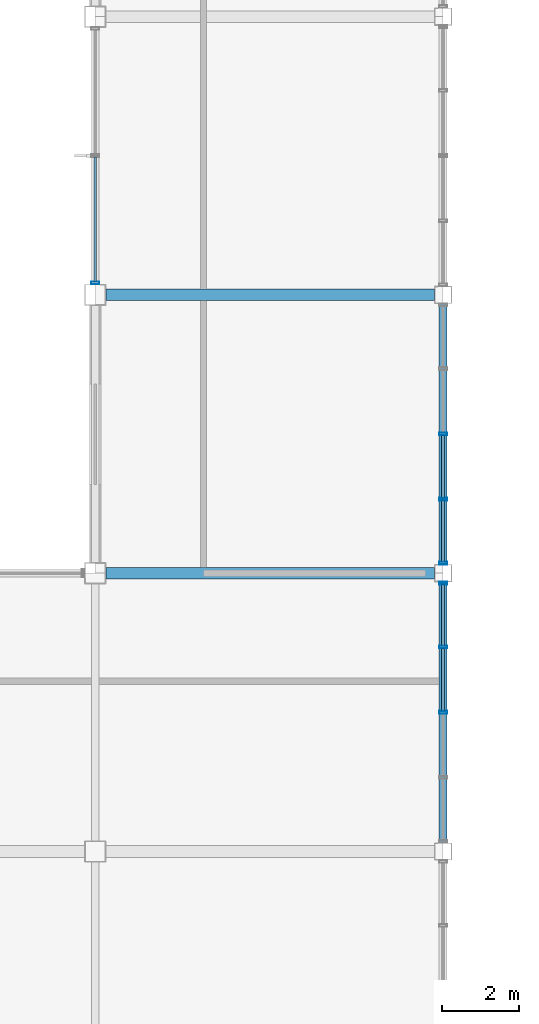
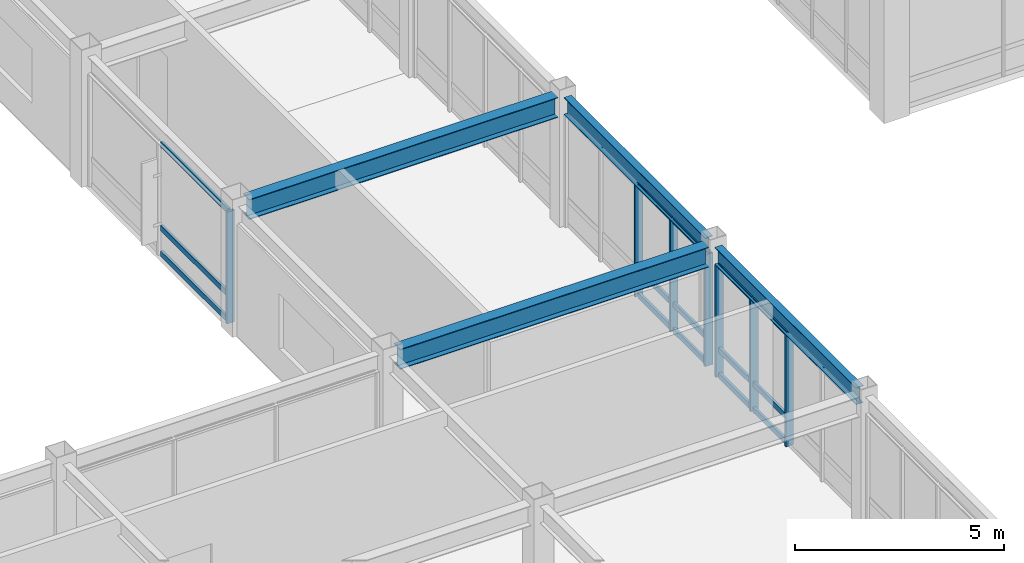
# One storey, part 45 of 122: 22 members, 4 beams, 3 elements without a shape of their own.
"""IFC4 building model written with IfcOpenShell, lengths in metres."""

from ifc_helpers import new_model, si_unit, direction, frame, origin, origin_2d, place, context, subcontext, project, spatial, hollow_rectangle, i_section, extrude, material, material_profile, profile_set, type_object, element, aggregate, save


model = new_model("IFC4")

# Units and contexts
model_context = context("Model", 3, precision=1e-05, world=origin(), true_north=direction((0.0, 1.0)))
body_context = subcontext(model_context, "Body", "Model", "MODEL_VIEW")
ifc_project = project(units=[si_unit("LENGTHUNIT", "METRE"), si_unit("AREAUNIT", "SQUARE_METRE"), si_unit("VOLUMEUNIT", "CUBIC_METRE"), si_unit("PLANEANGLEUNIT", "RADIAN"), si_unit("MASSUNIT", "GRAM", prefix="KILO")], contexts=[model_context])

# Site, building, storey
site_placement = place(None, origin())
site = spatial("IfcSite", under=ifc_project, at=site_placement, CompositionType="ELEMENT")
building_placement = place(site_placement, origin())
building = spatial("IfcBuilding", under=site, at=building_placement, Name="Kazanami Central Library", CompositionType="ELEMENT")
storey_placement = place(building_placement, frame((0.0, 0.0, 4.800048828125)))
storey = spatial("IfcBuildingStorey", under=building, at=storey_placement, Name="L02", CompositionType="ELEMENT", Elevation=4.800048828125)

# Beams
ifc_material_1 = material(Name="Steel SN490B (325 MPa)", Category="steel")
ifc_material_profile_1 = material_profile(ifc_material_1, i_section(OverallWidth=0.300048828125, OverallDepth=0.587890625, WebThickness=0.011962890625, FlangeThickness=0.02001953125, at=origin_2d()), Name="H-588x300x12x20")
ifc_profile_set_1 = profile_set([ifc_material_profile_1], Name="Steel SN490B (325 MPa)")
beam_type_1 = type_object("IfcBeamType", Name="BM-G-X2", PredefinedType="BEAM", material=ifc_profile_set_1)
for number, where, z_axis, x_axis, name in (
    (1, (99.27294921875, 36.0, 3.4609375), (1.0, 0.0, 0.0), (0.0, 1.0, 0.0), "Girder G-X2 L02 F/12-13"),
    (2, (99.27294921875, 43.199951171875, 3.4609375), (1.0, 0.0, 0.0), (0.0, 1.0, 0.0), "Girder G-X2 L02 G/12-13"),
):
    element("IfcBeam", number, at=place(storey_placement, frame(where, z_axis=z_axis, x_axis=x_axis)), inside=storey, type_object=beam_type_1, Name=name, PredefinedType="BEAM", context=body_context, shape_type="SweptSolid", body=[
        extrude(i_section(OverallWidth=0.300048828125, OverallDepth=0.587890625, WebThickness=0.011962890625, FlangeThickness=0.02001953125, at=origin_2d()), origin(), (0.0, 0.0, 1.0), 8.504150390625),
    ])
ifc_material_profile_2 = material_profile(ifc_material_1, i_section(OverallWidth=0.199951171875, OverallDepth=0.5, WebThickness=0.010009765625, FlangeThickness=0.01611328125, at=origin_2d()), Name="H-500x200x10x16")
ifc_profile_set_2 = profile_set([ifc_material_profile_2], Name="Steel SN490B (325 MPa)")
beam_type_2 = type_object("IfcBeamType", Name="BM-SP-1", PredefinedType="SPANDREL", material=ifc_profile_set_2)
for number, where, z_axis, x_axis, name in (
    (3, (108.0, 29.02294921875, 3.5048828125), (0.0, 1.0, 0.0), (-1.0, 0.0, 0.0), "Girder SP-1 L02 13/E-F"),
    (4, (108.0, 36.222900390625, 3.5048828125), (0.0, 1.0, 0.0), (-1.0, 0.0, 0.0), "Girder SP-1 L02 13/F-G"),
):
    element("IfcBeam", number, at=place(storey_placement, frame(where, z_axis=z_axis, x_axis=x_axis)), inside=storey, type_object=beam_type_2, Name=name, PredefinedType="SPANDREL", context=body_context, shape_type="SweptSolid", body=[
        extrude(i_section(OverallWidth=0.199951171875, OverallDepth=0.5, WebThickness=0.010009765625, FlangeThickness=0.01611328125, at=origin_2d()), origin(), (0.0, 0.0, 1.0), 6.754150390625),
    ])

# Curtain wall, member
ifc_material_2 = material(Name="Acid-Etched Low-E Laminated Glass", Category="glass")
curtain_wall_type_1 = type_object("IfcCurtainWallType", Name="CW-6650x3255-M275", PredefinedType="USERDEFINED", material=ifc_material_2)
curtain_wall_1_placement = place(storey_placement, origin())
curtain_wall_1 = element("IfcCurtainWall", 5, at=curtain_wall_1_placement, inside=storey, type_object=curtain_wall_type_1, Name="Unitised Curtain Wall CW-22 L02 W-12-06", ObjectType="UNITISED CURTAIN WALL", PredefinedType="USERDEFINED")
ifc_material_3 = material(Name="Anodised Aluminium A6063-T5", Category="aluminium")
ifc_material_profile_3 = material_profile(ifc_material_3, hollow_rectangle(XDim=0.070068359375, YDim=0.2099609375, WallThickness=0.0048828125, at=origin_2d()), Name="ALU-MULL-70x210x5")
ifc_profile_set_3 = profile_set([ifc_material_profile_3], Name="Anodised Aluminium A6063-T5")
member_type_1 = type_object("IfcMemberType", Name="MEM-CW-M1", PredefinedType="MULLION", material=ifc_profile_set_3)
member_1_placement = place(storey_placement, frame((99.0, 43.510009765625, 0.0), z_axis=(0.0, 0.0, 1.0), x_axis=(0.0, 1.0, 0.0)))
member_1 = element("IfcMember", 6, at=member_1_placement, type_object=member_type_1, Name="CW-22 mullion 1", PredefinedType="MULLION", context=body_context, shape_type="SweptSolid", body=[
    extrude(hollow_rectangle(XDim=0.070068359375, YDim=0.2099609375, WallThickness=0.0048828125, at=origin_2d()), origin(), (0.0, 0.0, 1.0), 3.2548828125),
])

# Curtain wall, members
curtain_wall_type_2 = type_object("IfcCurtainWallType", Name="CW-6750x3255-M180", PredefinedType="USERDEFINED", material=ifc_material_2)
curtain_wall_2_placement = place(storey_placement, origin())
curtain_wall_2 = element("IfcCurtainWall", 7, at=curtain_wall_2_placement, inside=storey, type_object=curtain_wall_type_2, Name="Covered Link Bridge Curtain Wall CW-21 L02 E-13-04", ObjectType="UNITISED CURTAIN WALL", PredefinedType="USERDEFINED")
member_2_placement = place(storey_placement, frame((108.0, 35.739990234375, 0.0), z_axis=(0.0, 0.0, 1.0), x_axis=(0.0, -1.0, 0.0)))
member_2 = element("IfcMember", 8, at=member_2_placement, type_object=member_type_1, Name="CW-21 mullion 1", PredefinedType="MULLION", context=body_context, shape_type="SweptSolid", body=[
    extrude(hollow_rectangle(XDim=0.070068359375, YDim=0.2099609375, WallThickness=0.0048828125, at=origin_2d()), origin(), (0.0, 0.0, 1.0), 3.2548828125),
])
member_3_placement = place(storey_placement, frame((108.0, 34.08740234375, 0.0), z_axis=(0.0, 0.0, 1.0), x_axis=(0.0, -1.0, 0.0)))
member_3 = element("IfcMember", 9, at=member_3_placement, type_object=member_type_1, Name="CW-21 mullion 2", PredefinedType="MULLION", context=body_context, shape_type="SweptSolid", body=[
    extrude(hollow_rectangle(XDim=0.070068359375, YDim=0.2099609375, WallThickness=0.0048828125, at=origin_2d()), origin(), (0.0, 0.0, 1.0), 3.2548828125),
])
member_4_placement = place(storey_placement, frame((108.0, 32.39990234375, 0.0), z_axis=(0.0, 0.0, 1.0), x_axis=(0.0, -1.0, 0.0)))
member_4 = element("IfcMember", 10, at=member_4_placement, type_object=member_type_1, Name="CW-21 mullion 3", PredefinedType="MULLION", context=body_context, shape_type="SweptSolid", body=[
    extrude(hollow_rectangle(XDim=0.070068359375, YDim=0.2099609375, WallThickness=0.0048828125, at=origin_2d()), origin(), (0.0, 0.0, 1.0), 3.2548828125),
])

curtain_wall_3_placement = place(storey_placement, origin())
curtain_wall_3 = element("IfcCurtainWall", 11, at=curtain_wall_3_placement, inside=storey, type_object=curtain_wall_type_2, Name="Covered Link Bridge Curtain Wall CW-21 L02 E-13-05", ObjectType="UNITISED CURTAIN WALL", PredefinedType="USERDEFINED")
member_5_placement = place(storey_placement, frame((108.0, 39.60009765625, 0.0), z_axis=(0.0, 0.0, 1.0), x_axis=(0.0, -1.0, 0.0)))
member_5 = element("IfcMember", 12, at=member_5_placement, type_object=member_type_1, Name="CW-21 mullion 3", PredefinedType="MULLION", context=body_context, shape_type="SweptSolid", body=[
    extrude(hollow_rectangle(XDim=0.070068359375, YDim=0.2099609375, WallThickness=0.0048828125, at=origin_2d()), origin(), (0.0, 0.0, 1.0), 3.2548828125),
])
member_6_placement = place(storey_placement, frame((108.0, 37.91259765625, 0.0), z_axis=(0.0, 0.0, 1.0), x_axis=(0.0, -1.0, 0.0)))
member_6 = element("IfcMember", 13, at=member_6_placement, type_object=member_type_1, Name="CW-21 mullion 4", PredefinedType="MULLION", context=body_context, shape_type="SweptSolid", body=[
    extrude(hollow_rectangle(XDim=0.070068359375, YDim=0.2099609375, WallThickness=0.0048828125, at=origin_2d()), origin(), (0.0, 0.0, 1.0), 3.2548828125),
])
member_7_placement = place(storey_placement, frame((108.0, 36.260009765625, 0.0), z_axis=(0.0, 0.0, 1.0), x_axis=(0.0, -1.0, 0.0)))
member_7 = element("IfcMember", 14, at=member_7_placement, type_object=member_type_1, Name="CW-21 mullion 5", PredefinedType="MULLION", context=body_context, shape_type="SweptSolid", body=[
    extrude(hollow_rectangle(XDim=0.070068359375, YDim=0.2099609375, WallThickness=0.0048828125, at=origin_2d()), origin(), (0.0, 0.0, 1.0), 3.2548828125),
])

# Member
ifc_material_profile_4 = material_profile(ifc_material_3, hollow_rectangle(XDim=0.070068359375, YDim=0.159912109375, WallThickness=0.00390625, at=origin_2d()), Name="ALU-TRAN-70x160x4")
ifc_profile_set_4 = profile_set([ifc_material_profile_4], Name="Anodised Aluminium A6063-T5")
member_type_2 = type_object("IfcMemberType", Name="MEM-CW-T1", PredefinedType="USERDEFINED", material=ifc_profile_set_4)
member_8_placement = place(storey_placement, frame((99.0, 43.544921875, 0.034912109375), z_axis=(0.0, 1.0, 0.0), x_axis=(-1.0, 0.0, 0.0)))
member_8 = element("IfcMember", 15, at=member_8_placement, type_object=member_type_2, Name="CW-22 transom 1.1", ObjectType="TRANSOM", PredefinedType="USERDEFINED", context=body_context, shape_type="SweptSolid", body=[
    extrude(hollow_rectangle(XDim=0.070068359375, YDim=0.159912109375, WallThickness=0.00390625, at=origin_2d()), origin(), (0.0, 0.0, 1.0), 3.219970703125),
])

member_9_placement = place(storey_placement, frame((99.0, 43.544921875, 0.780029296875), z_axis=(0.0, 1.0, 0.0), x_axis=(-1.0, 0.0, 0.0)))
member_9 = element("IfcMember", 16, at=member_9_placement, type_object=member_type_2, Name="CW-22 transom 1.2", ObjectType="TRANSOM", PredefinedType="USERDEFINED", context=body_context, shape_type="SweptSolid", body=[
    extrude(hollow_rectangle(XDim=0.070068359375, YDim=0.159912109375, WallThickness=0.00390625, at=origin_2d()), origin(), (0.0, 0.0, 1.0), 3.219970703125),
])

member_10_placement = place(storey_placement, frame((99.0, 43.544921875, 3.219970703125), z_axis=(0.0, 1.0, 0.0), x_axis=(-1.0, 0.0, 0.0)))
member_10 = element("IfcMember", 17, at=member_10_placement, type_object=member_type_2, Name="CW-22 transom 1.3", ObjectType="TRANSOM", PredefinedType="USERDEFINED", context=body_context, shape_type="SweptSolid", body=[
    extrude(hollow_rectangle(XDim=0.070068359375, YDim=0.159912109375, WallThickness=0.00390625, at=origin_2d()), origin(), (0.0, 0.0, 1.0), 3.219970703125),
])

aggregate(curtain_wall_1, [member_1, member_8, member_9, member_10])

member_11_placement = place(storey_placement, frame((108.0, 35.705078125, 0.034912109375), z_axis=(0.0, -1.0, 0.0), x_axis=(1.0, 0.0, 0.0)))
member_11 = element("IfcMember", 18, at=member_11_placement, type_object=member_type_2, Name="CW-21 transom 1.1", ObjectType="TRANSOM", PredefinedType="USERDEFINED", context=body_context, shape_type="SweptSolid", body=[
    extrude(hollow_rectangle(XDim=0.070068359375, YDim=0.159912109375, WallThickness=0.00390625, at=origin_2d()), origin(), (0.0, 0.0, 1.0), 1.58251953125),
])

member_12_placement = place(storey_placement, frame((108.0, 35.705078125, 0.780029296875), z_axis=(0.0, -1.0, 0.0), x_axis=(1.0, 0.0, 0.0)))
member_12 = element("IfcMember", 19, at=member_12_placement, type_object=member_type_2, Name="CW-21 transom 1.2", ObjectType="TRANSOM", PredefinedType="USERDEFINED", context=body_context, shape_type="SweptSolid", body=[
    extrude(hollow_rectangle(XDim=0.070068359375, YDim=0.159912109375, WallThickness=0.00390625, at=origin_2d()), origin(), (0.0, 0.0, 1.0), 1.58251953125),
])

member_13_placement = place(storey_placement, frame((108.0, 35.705078125, 3.219970703125), z_axis=(0.0, -1.0, 0.0), x_axis=(1.0, 0.0, 0.0)))
member_13 = element("IfcMember", 20, at=member_13_placement, type_object=member_type_2, Name="CW-21 transom 1.3", ObjectType="TRANSOM", PredefinedType="USERDEFINED", context=body_context, shape_type="SweptSolid", body=[
    extrude(hollow_rectangle(XDim=0.070068359375, YDim=0.159912109375, WallThickness=0.00390625, at=origin_2d()), origin(), (0.0, 0.0, 1.0), 1.58251953125),
])

member_14_placement = place(storey_placement, frame((108.0, 34.052490234375, 0.034912109375), z_axis=(0.0, -1.0, 0.0), x_axis=(1.0, 0.0, 0.0)))
member_14 = element("IfcMember", 21, at=member_14_placement, type_object=member_type_2, Name="CW-21 transom 2.1", ObjectType="TRANSOM", PredefinedType="USERDEFINED", context=body_context, shape_type="SweptSolid", body=[
    extrude(hollow_rectangle(XDim=0.070068359375, YDim=0.159912109375, WallThickness=0.00390625, at=origin_2d()), origin(), (0.0, 0.0, 1.0), 1.617431640625),
])

member_15_placement = place(storey_placement, frame((108.0, 34.052490234375, 0.780029296875), z_axis=(0.0, -1.0, 0.0), x_axis=(1.0, 0.0, 0.0)))
member_15 = element("IfcMember", 22, at=member_15_placement, type_object=member_type_2, Name="CW-21 transom 2.2", ObjectType="TRANSOM", PredefinedType="USERDEFINED", context=body_context, shape_type="SweptSolid", body=[
    extrude(hollow_rectangle(XDim=0.070068359375, YDim=0.159912109375, WallThickness=0.00390625, at=origin_2d()), origin(), (0.0, 0.0, 1.0), 1.617431640625),
])

member_16_placement = place(storey_placement, frame((108.0, 34.052490234375, 3.219970703125), z_axis=(0.0, -1.0, 0.0), x_axis=(1.0, 0.0, 0.0)))
member_16 = element("IfcMember", 23, at=member_16_placement, type_object=member_type_2, Name="CW-21 transom 2.3", ObjectType="TRANSOM", PredefinedType="USERDEFINED", context=body_context, shape_type="SweptSolid", body=[
    extrude(hollow_rectangle(XDim=0.070068359375, YDim=0.159912109375, WallThickness=0.00390625, at=origin_2d()), origin(), (0.0, 0.0, 1.0), 1.617431640625),
])

aggregate(curtain_wall_2, [member_2, member_3, member_4, member_11, member_12, member_13, member_14, member_15, member_16])

member_17_placement = place(storey_placement, frame((108.0, 39.56494140625, 0.034912109375), z_axis=(0.0, -1.0, 0.0), x_axis=(1.0, 0.0, 0.0)))
member_17 = element("IfcMember", 24, at=member_17_placement, type_object=member_type_2, Name="CW-21 transom 3.1", ObjectType="TRANSOM", PredefinedType="USERDEFINED", context=body_context, shape_type="SweptSolid", body=[
    extrude(hollow_rectangle(XDim=0.070068359375, YDim=0.159912109375, WallThickness=0.00390625, at=origin_2d()), origin(), (0.0, 0.0, 1.0), 1.617431640625),
])

member_18_placement = place(storey_placement, frame((108.0, 39.56494140625, 0.780029296875), z_axis=(0.0, -1.0, 0.0), x_axis=(1.0, 0.0, 0.0)))
member_18 = element("IfcMember", 25, at=member_18_placement, type_object=member_type_2, Name="CW-21 transom 3.2", ObjectType="TRANSOM", PredefinedType="USERDEFINED", context=body_context, shape_type="SweptSolid", body=[
    extrude(hollow_rectangle(XDim=0.070068359375, YDim=0.159912109375, WallThickness=0.00390625, at=origin_2d()), origin(), (0.0, 0.0, 1.0), 1.617431640625),
])

member_19_placement = place(storey_placement, frame((108.0, 39.56494140625, 3.219970703125), z_axis=(0.0, -1.0, 0.0), x_axis=(1.0, 0.0, 0.0)))
member_19 = element("IfcMember", 26, at=member_19_placement, type_object=member_type_2, Name="CW-21 transom 3.3", ObjectType="TRANSOM", PredefinedType="USERDEFINED", context=body_context, shape_type="SweptSolid", body=[
    extrude(hollow_rectangle(XDim=0.070068359375, YDim=0.159912109375, WallThickness=0.00390625, at=origin_2d()), origin(), (0.0, 0.0, 1.0), 1.617431640625),
])

member_20_placement = place(storey_placement, frame((108.0, 37.87744140625, 0.034912109375), z_axis=(0.0, -1.0, 0.0), x_axis=(1.0, 0.0, 0.0)))
member_20 = element("IfcMember", 27, at=member_20_placement, type_object=member_type_2, Name="CW-21 transom 4.1", ObjectType="TRANSOM", PredefinedType="USERDEFINED", context=body_context, shape_type="SweptSolid", body=[
    extrude(hollow_rectangle(XDim=0.070068359375, YDim=0.159912109375, WallThickness=0.00390625, at=origin_2d()), origin(), (0.0, 0.0, 1.0), 1.58251953125),
])

member_21_placement = place(storey_placement, frame((108.0, 37.87744140625, 0.780029296875), z_axis=(0.0, -1.0, 0.0), x_axis=(1.0, 0.0, 0.0)))
member_21 = element("IfcMember", 28, at=member_21_placement, type_object=member_type_2, Name="CW-21 transom 4.2", ObjectType="TRANSOM", PredefinedType="USERDEFINED", context=body_context, shape_type="SweptSolid", body=[
    extrude(hollow_rectangle(XDim=0.070068359375, YDim=0.159912109375, WallThickness=0.00390625, at=origin_2d()), origin(), (0.0, 0.0, 1.0), 1.58251953125),
])

member_22_placement = place(storey_placement, frame((108.0, 37.87744140625, 3.219970703125), z_axis=(0.0, -1.0, 0.0), x_axis=(1.0, 0.0, 0.0)))
member_22 = element("IfcMember", 29, at=member_22_placement, type_object=member_type_2, Name="CW-21 transom 4.3", ObjectType="TRANSOM", PredefinedType="USERDEFINED", context=body_context, shape_type="SweptSolid", body=[
    extrude(hollow_rectangle(XDim=0.070068359375, YDim=0.159912109375, WallThickness=0.00390625, at=origin_2d()), origin(), (0.0, 0.0, 1.0), 1.58251953125),
])

aggregate(curtain_wall_3, [member_5, member_6, member_7, member_17, member_18, member_19, member_20, member_21, member_22])

save(model, "model.ifc")
